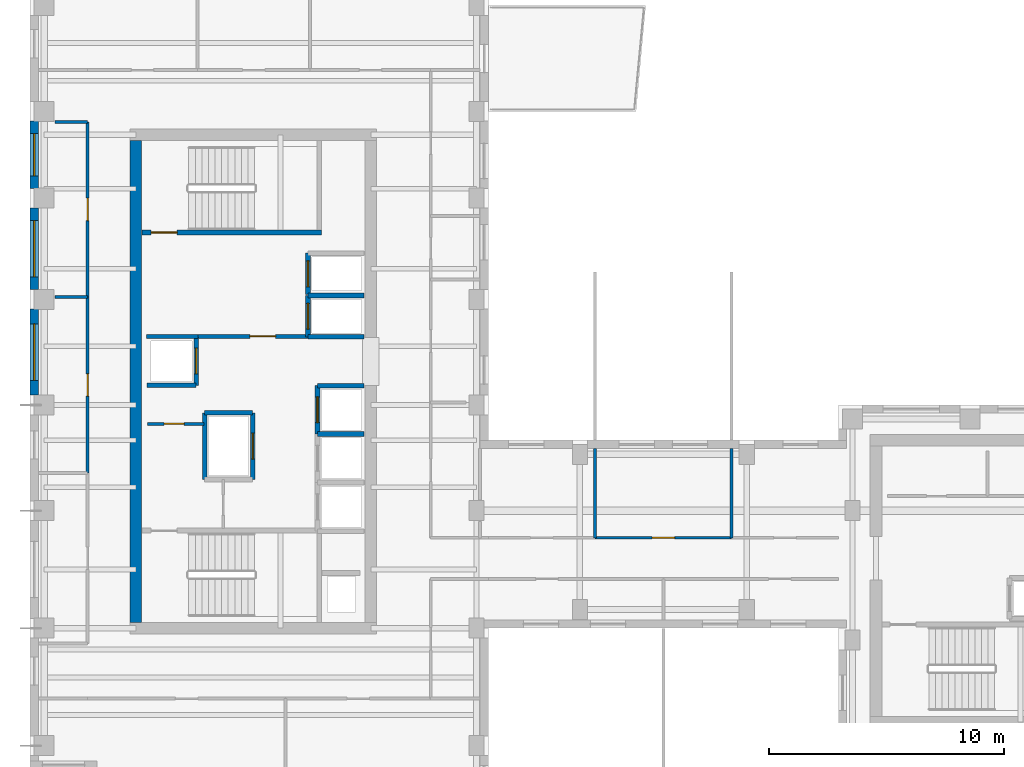
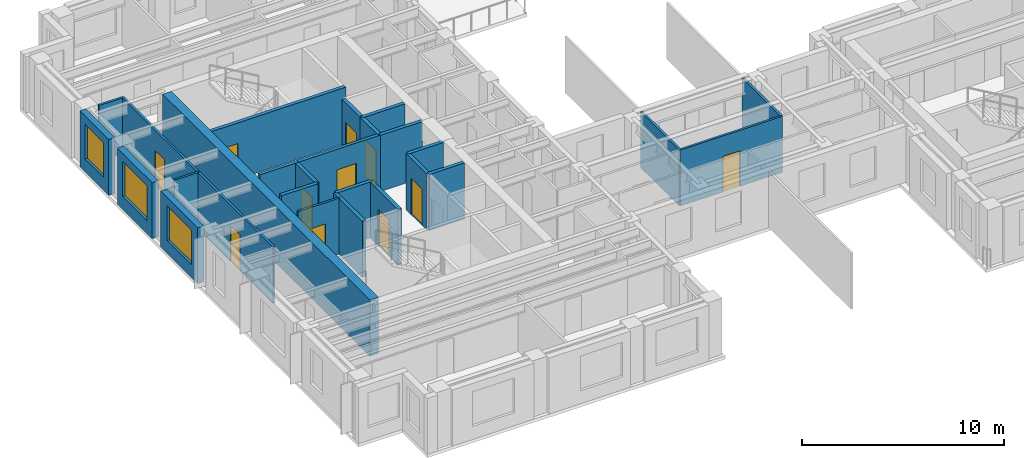
# One storey, part 4 of 10: 27 walls, 11 doors, 3 windows, 14 openings.
"""IFC4 building model written with IfcOpenShell, lengths in metres."""

import ifcopenshell
import ifcopenshell.guid

model = None  # the IFC model being written
_history = None  # IfcOwnerHistory: only IFC2X3 demands one
_inside = {}  # id of a spatial element -> (the spatial element, [elements in it])
_under = {}  # id of a project, library or spatial element -> (it, [spatial elements below it])
_declared = {}  # id of a project -> (the project, [libraries it declares])
_typed = {}  # id of a type object -> (the type object, [elements of that type])
_made_of = {}  # id of a material, layer set ... -> (it, [elements and type objects made of it])


def new_model(schema):
    """Start an empty IFC model of exactly this schema.

    Asked for "IFC4X3", IfcOpenShell would pick the latest addendum, in which some entities
    have other attributes; the version numbers below select the first issue.
    IFC2X3 requires an IfcOwnerHistory on every rooted entity: one is made here for all.
    """
    global model, _history
    if schema == "IFC4X3":
        model = ifcopenshell.file(schema_version=(4, 3, 0, 0))
    else:
        model = ifcopenshell.file(schema=schema)
    _inside.clear()
    _under.clear()
    _declared.clear()
    _typed.clear()
    _made_of.clear()
    _history = None
    if model.schema == "IFC2X3":
        org = make("IfcOrganization", Name="unknown")
        user = make(
            "IfcPersonAndOrganization",
            ThePerson=make("IfcPerson", FamilyName="unknown"),
            TheOrganization=org,
        )
        app = make(
            "IfcApplication",
            ApplicationDeveloper=org,
            Version="unknown",
            ApplicationFullName="unknown",
            ApplicationIdentifier="unknown",
        )
        _history = make(
            "IfcOwnerHistory",
            OwningUser=user,
            OwningApplication=app,
            ChangeAction="ADDED",
            CreationDate=0,
        )
    return model


def make(cls, **values):
    """One entity of the class cls with the attributes given. An attribute that is None is left unset."""
    return model.create_entity(
        cls, **{name: value for name, value in values.items() if value is not None}
    )


def rooted(cls, **values):
    """An entity with a GlobalId (a new one), such as an element, a storey or a relation."""
    return make(cls, GlobalId=ifcopenshell.guid.new(), OwnerHistory=_history, **values)


def si_unit(unit_type, name, prefix=None):
    """IfcSIUnit, for example si_unit("LENGTHUNIT", "METRE", prefix="MILLI")."""
    return make("IfcSIUnit", UnitType=unit_type, Prefix=prefix, Name=name)


def assignment(units):
    """IfcUnitAssignment: the units of a project."""
    return None if units is None else make("IfcUnitAssignment", Units=units)


def point(xyz):
    """IfcCartesianPoint."""
    return None if xyz is None else make("IfcCartesianPoint", Coordinates=xyz)


def direction(xyz):
    """IfcDirection."""
    return None if xyz is None else make("IfcDirection", DirectionRatios=xyz)


def frame(location, z_axis=None, x_axis=None):
    """IfcAxis2Placement3D, a coordinate frame: its origin and axes. An axis left out is left unset."""
    return make(
        "IfcAxis2Placement3D",
        Location=point(location),
        Axis=direction(z_axis),
        RefDirection=direction(x_axis),
    )


def frame_2d(location, x_axis=None):
    """IfcAxis2Placement2D, a coordinate frame in the plane: its origin and x axis."""
    return make(
        "IfcAxis2Placement2D", Location=point(location), RefDirection=direction(x_axis)
    )


def origin():
    """The frame at (0, 0, 0) with its axes left unset."""
    return frame((0.0, 0.0, 0.0))


def place(relative_to, where):
    """IfcLocalPlacement: puts the frame where relative to a parent placement (None: the world)."""
    return make(
        "IfcLocalPlacement", PlacementRelTo=relative_to, RelativePlacement=where
    )


def context(
    kind, dimensions, precision=None, world=None, true_north=None, identifier=None
):
    """IfcGeometricRepresentationContext, for example the 3D "Model" context."""
    return make(
        "IfcGeometricRepresentationContext",
        ContextIdentifier=identifier,
        ContextType=kind,
        CoordinateSpaceDimension=dimensions,
        Precision=precision,
        WorldCoordinateSystem=world,
        TrueNorth=true_north,
    )


def subcontext(parent, identifier, kind, view, scale=None):
    """IfcGeometricRepresentationSubContext, for example "Body" below "Model"."""
    return make(
        "IfcGeometricRepresentationSubContext",
        ContextIdentifier=identifier,
        ContextType=kind,
        ParentContext=parent,
        TargetScale=scale,
        TargetView=view,
    )


def project(units=None, contexts=None):
    """IfcProject with its units and contexts."""
    return rooted(
        "IfcProject",
        Name="project",
        RepresentationContexts=contexts,
        UnitsInContext=assignment(units),
    )


def spatial(cls, under=None, at=None, **own):
    """A site, building, storey or space (cls), placed at a placement, below another one or the project."""
    s = rooted(cls, ObjectPlacement=at, **own)
    if under is not None:
        _under.setdefault(under.id(), (under, []))[1].append(s)
    return s


def profile(cls, at=None, kind="AREA", **sizes):
    """A parametric profile (cls). Its sizes go by their IFC names, for example OverallWidth=200.0."""
    return make(cls, ProfileType=kind, Position=at, **sizes)


def rectangle(**sizes):
    """IfcRectangleProfileDef."""
    return profile("IfcRectangleProfileDef", **sizes)


def extrude(swept, where, along, depth):
    """IfcExtrudedAreaSolid: the profile swept, set in the frame where, extruded along a direction by depth."""
    return make(
        "IfcExtrudedAreaSolid",
        SweptArea=swept,
        Position=where,
        ExtrudedDirection=direction(along),
        Depth=depth,
    )


def shape(context_of_items, identifier, shape_type, items):
    """IfcShapeRepresentation: the items that make up one representation, for example the "Body"."""
    return make(
        "IfcShapeRepresentation",
        ContextOfItems=context_of_items,
        RepresentationIdentifier=identifier,
        RepresentationType=shape_type,
        Items=items,
    )


def source(mapping_origin, context_of_items, identifier, shape_type, items):
    """IfcRepresentationMap: a shape defined once, which mapped items show again and again."""
    return make(
        "IfcRepresentationMap",
        MappingOrigin=mapping_origin,
        MappedRepresentation=shape(context_of_items, identifier, shape_type, items),
    )


def transform(
    local_origin,
    x_axis=None,
    y_axis=None,
    z_axis=None,
    scale=None,
    scale2=None,
    scale3=None,
    uniform=True,
):
    """IfcCartesianTransformationOperator3D, or its non-uniform kind. x_axis, y_axis, z_axis: its Axis1, 2, 3."""
    if uniform:
        return make(
            "IfcCartesianTransformationOperator3D",
            Axis1=direction(x_axis),
            Axis2=direction(y_axis),
            LocalOrigin=point(local_origin),
            Scale=scale,
            Axis3=direction(z_axis),
        )
    return make(
        "IfcCartesianTransformationOperator3DnonUniform",
        Axis1=direction(x_axis),
        Axis2=direction(y_axis),
        LocalOrigin=point(local_origin),
        Scale=scale,
        Axis3=direction(z_axis),
        Scale2=scale2,
        Scale3=scale3,
    )


def mapped(mapping_source, mapping_target):
    """IfcMappedItem: shows the shape of a source again, moved by a transform."""
    return make(
        "IfcMappedItem", MappingSource=mapping_source, MappingTarget=mapping_target
    )


def material(Name=None, Category=None):
    """IfcMaterial."""
    return make("IfcMaterial", Name=Name, Category=Category)


def layer(
    of_material, thickness, ventilated=None, Name=None, Category=None, Priority=None
):
    """IfcMaterialLayer: one layer of a wall or slab, of a material (None: an air gap)."""
    return make(
        "IfcMaterialLayer",
        Material=of_material,
        LayerThickness=thickness,
        IsVentilated=ventilated,
        Name=Name,
        Category=Category,
        Priority=Priority,
    )


def layer_set(layers, Name=None):
    """IfcMaterialLayerSet."""
    return make("IfcMaterialLayerSet", MaterialLayers=layers, LayerSetName=Name)


def made_of(thing, what):
    """Note that an element or type object is made of a material, layer set ...; save() writes the relation."""
    if what is not None:
        _made_of.setdefault(what.id(), (what, []))[1].append(thing)
    return thing


def type_object(cls, material=None, **own):
    """A type object (cls), such as IfcWallType, which elements share."""
    return made_of(rooted(cls, **own), material)


def element(
    cls,
    number,
    at=None,
    inside=None,
    cuts=None,
    type_object=None,
    material=None,
    context=None,
    identifier="Body",
    shape_type=None,
    held_by="IfcProductDefinitionShape",
    body=None,
    shapes=None,
    **own,
):
    """One element of the class cls, such as IfcWall. Its Tag is "e" and its number.

    at: its placement. inside: the storey or other place that contains it. cuts: it is an
    opening in that element (IfcRelVoidsElement). A single representation is given by context,
    identifier, shape_type and body (its items); several are given by shapes. held_by: the class
    of the entity that holds the representations. save() writes the other relations.
    """
    e = rooted(cls, Tag="e%d" % number, ObjectPlacement=at, **own)
    if body is not None:
        shapes = [shape(context, identifier, shape_type, body)]
    if shapes is not None:
        e.Representation = make(held_by, Representations=shapes)
    if inside is not None:
        _inside.setdefault(inside.id(), (inside, []))[1].append(e)
    if cuts is not None:
        rooted(
            "IfcRelVoidsElement", RelatingBuildingElement=cuts, RelatedOpeningElement=e
        )
    if type_object is not None:
        _typed.setdefault(type_object.id(), (type_object, []))[1].append(e)
    return made_of(e, material)


def fill(opening, filler):
    """IfcRelFillsElement: the door or window that sits in an opening."""
    return rooted(
        "IfcRelFillsElement",
        RelatingOpeningElement=opening,
        RelatedBuildingElement=filler,
    )


def aggregate(whole, parts):
    """IfcRelAggregates: a whole, such as a stair, and the parts it consists of."""
    return rooted("IfcRelAggregates", RelatingObject=whole, RelatedObjects=parts)


def save(model, path):
    """Write the relations noted so far, then the file.

    IfcRelAggregates (storeys below a building ...), IfcRelContainedInSpatialStructure (elements
    in a storey), IfcRelDefinesByType, IfcRelAssociatesMaterial and IfcRelDeclares: one each for
    every whole, place, type object, material and project.
    """
    for whole, parts in _under.values():
        aggregate(whole, parts)
    for where, things in _inside.values():
        rooted(
            "IfcRelContainedInSpatialStructure",
            RelatedElements=things,
            RelatingStructure=where,
        )
    for kind, things in _typed.values():
        rooted("IfcRelDefinesByType", RelatedObjects=things, RelatingType=kind)
    for what, things in _made_of.values():
        rooted("IfcRelAssociatesMaterial", RelatedObjects=things, RelatingMaterial=what)
    for by, libraries in _declared.values():
        rooted("IfcRelDeclares", RelatingContext=by, RelatedDefinitions=libraries)
    model.write(path)


model = new_model("IFC4")

# Units and contexts
model_context = context("Model", 3, precision=1e-05, world=origin(), true_north=direction((0.0, 1.0)))
body_context = subcontext(model_context, "Body", "Model", "MODEL_VIEW")
ifc_project = project(units=[si_unit("LENGTHUNIT", "METRE"), si_unit("AREAUNIT", "SQUARE_METRE"), si_unit("VOLUMEUNIT", "CUBIC_METRE"), si_unit("PLANEANGLEUNIT", "RADIAN"), si_unit("MASSUNIT", "GRAM", prefix="KILO")], contexts=[model_context])

# Site, building, storey
site_placement = place(None, origin())
site = spatial("IfcSite", under=ifc_project, at=site_placement, CompositionType="ELEMENT")
building_placement = place(site_placement, origin())
building = spatial("IfcBuilding", under=site, at=building_placement, Name="Kharzan Plaza Tower", CompositionType="ELEMENT")
storey_placement = place(building_placement, frame((0.0, 0.0, 237.60009765625)))
storey = spatial("IfcBuildingStorey", under=building, at=storey_placement, Name="L64", CompositionType="ELEMENT", Elevation=237.60009765625)

# Wall, opening, window
ifc_material_1 = material(Name="Concrete C40/50", Category="concrete")
ifc_layer_1 = layer(ifc_material_1, 0.35009765625)
ifc_layer_set_1 = layer_set([ifc_layer_1], Name="Concrete C40/50")
wall_type_1 = type_object("IfcWallType", Name="WL-EXT-MAS-Z4", PredefinedType="SOLIDWALL", material=ifc_layer_set_1)
wall_1_placement = place(storey_placement, frame((0.175048828125, 30.076904296875, 0.0), z_axis=(0.0, 0.0, 1.0), x_axis=(0.0, -1.0, 0.0)))
wall_1 = element("IfcWall", 1, at=wall_1_placement, inside=storey, type_object=wall_type_1, Name="L64 Masonry-Frame Exterior Wall 17", PredefinedType="SOLIDWALL", context=body_context, shape_type="SweptSolid", body=[
    extrude(rectangle(XDim=2.85400390625, YDim=0.35009765625, at=frame_2d((1.427001953125, 0.0))), origin(), (0.0, 0.0, 1.0), 3.385009765625),
])
opening_1_placement = place(wall_1_placement, frame((0.527099609375, 0.0, 0.780029296875)))
opening_1 = element("IfcOpeningElement", 2, at=opening_1_placement, cuts=wall_1, Name="Opening W1", PredefinedType="OPENING", context=body_context, shape_type="SweptSolid", body=[
    extrude(rectangle(XDim=1.800048828125, YDim=2.10009765625, at=frame_2d((0.89990234375, 1.050048828125))), frame((0.0, 0.18505859375, 0.0), z_axis=(0.0, -1.0, 0.0), x_axis=(1.0, 0.0, 0.0)), (0.0, 0.0, 1.0), 0.3701171875),
])
ifc_material_2 = material(Name="Low-E Double Glazing", Category="glass")
window_type_1 = type_object("IfcWindowType", Name="WN-REC-1800x2100", PartitioningType="SINGLE_PANEL", PredefinedType="WINDOW", material=ifc_material_2)
shared_shape_1 = source(origin(), body_context, "Body", "SweptSolid", [
    extrude(rectangle(XDim=1.800048828125, YDim=2.10009765625, at=frame_2d((0.89990234375, 1.050048828125))), frame((0.0, 0.030029296875, 0.0), z_axis=(0.0, -1.0, 0.0), x_axis=(1.0, 0.0, 0.0)), (0.0, 0.0, 1.0), 0.06005859375),
])
window_1_placement = place(opening_1_placement, origin())
window_1 = element("IfcWindow", 3, at=window_1_placement, inside=storey, type_object=window_type_1, Name="L64 Recessed Solar-Control Window 17-1", OverallHeight=2.10009765625, OverallWidth=1.800048828125, PartitioningType="SINGLE_PANEL", PredefinedType="WINDOW", context=body_context, shape_type="MappedRepresentation", body=[
    mapped(shared_shape_1, transform((0.0, 0.0, 0.0), x_axis=(1.0, 0.0, 0.0), y_axis=(0.0, 1.0, 0.0), z_axis=(0.0, 0.0, 1.0))),
])
fill(opening_1, window_1)

wall_2_placement = place(storey_placement, frame((0.175048828125, 26.376953125, 0.0), z_axis=(0.0, 0.0, 1.0), x_axis=(0.0, -1.0, 0.0)))
wall_2 = element("IfcWall", 4, at=wall_2_placement, inside=storey, type_object=wall_type_1, Name="L64 Masonry-Frame Exterior Wall 18", PredefinedType="SOLIDWALL", context=body_context, shape_type="SweptSolid", body=[
    extrude(rectangle(XDim=3.453857421875, YDim=0.35009765625, at=frame_2d((1.72705078125, 0.0))), origin(), (0.0, 0.0, 1.0), 3.385009765625),
])
opening_2_placement = place(wall_2_placement, frame((0.527099609375, 0.0, 0.780029296875)))
opening_2 = element("IfcOpeningElement", 5, at=opening_2_placement, cuts=wall_2, Name="Opening W2", PredefinedType="OPENING", context=body_context, shape_type="SweptSolid", body=[
    extrude(rectangle(XDim=2.39990234375, YDim=2.10009765625, at=frame_2d((1.199951171875, 1.050048828125))), frame((0.0, 0.18505859375, 0.0), z_axis=(0.0, -1.0, 0.0), x_axis=(1.0, 0.0, 0.0)), (0.0, 0.0, 1.0), 0.3701171875),
])
window_type_2 = type_object("IfcWindowType", Name="WN-REC-2400x2100", PartitioningType="SINGLE_PANEL", PredefinedType="WINDOW", material=ifc_material_2)
shared_shape_2 = source(origin(), body_context, "Body", "SweptSolid", [
    extrude(rectangle(XDim=2.39990234375, YDim=2.10009765625, at=frame_2d((1.199951171875, 1.050048828125))), frame((0.0, 0.030029296875, 0.0), z_axis=(0.0, -1.0, 0.0), x_axis=(1.0, 0.0, 0.0)), (0.0, 0.0, 1.0), 0.06005859375),
])
window_2_placement = place(opening_2_placement, origin())
window_2 = element("IfcWindow", 6, at=window_2_placement, inside=storey, type_object=window_type_2, Name="L64 Wide Recessed Solar-Control Window 18-1", OverallHeight=2.10009765625, OverallWidth=2.39990234375, PartitioningType="SINGLE_PANEL", PredefinedType="WINDOW", context=body_context, shape_type="MappedRepresentation", body=[
    mapped(shared_shape_2, transform((0.0, 0.0, 0.0), x_axis=(1.0, 0.0, 0.0), y_axis=(0.0, 1.0, 0.0), z_axis=(0.0, 0.0, 1.0))),
])
fill(opening_2, window_2)

wall_3_placement = place(storey_placement, frame((0.175048828125, 22.076904296875, 0.0), z_axis=(0.0, 0.0, 1.0), x_axis=(0.0, -1.0, 0.0)))
wall_3 = element("IfcWall", 7, at=wall_3_placement, inside=storey, type_object=wall_type_1, Name="L64 Masonry-Frame Exterior Wall 19", PredefinedType="SOLIDWALL", context=body_context, shape_type="SweptSolid", body=[
    extrude(rectangle(XDim=3.65380859375, YDim=0.35009765625, at=frame_2d((1.826904296875, 0.0))), origin(), (0.0, 0.0, 1.0), 3.385009765625),
])
opening_3_placement = place(wall_3_placement, frame((0.626953125, 0.0, 0.780029296875)))
opening_3 = element("IfcOpeningElement", 8, at=opening_3_placement, cuts=wall_3, Name="Opening W2", PredefinedType="OPENING", context=body_context, shape_type="SweptSolid", body=[
    extrude(rectangle(XDim=2.39990234375, YDim=2.10009765625, at=frame_2d((1.199951171875, 1.050048828125))), frame((0.0, 0.18505859375, 0.0), z_axis=(0.0, -1.0, 0.0), x_axis=(1.0, 0.0, 0.0)), (0.0, 0.0, 1.0), 0.3701171875),
])
window_3_placement = place(opening_3_placement, origin())
window_3 = element("IfcWindow", 9, at=window_3_placement, inside=storey, type_object=window_type_2, Name="L64 Wide Recessed Solar-Control Window 19-1", OverallHeight=2.10009765625, OverallWidth=2.39990234375, PartitioningType="SINGLE_PANEL", PredefinedType="WINDOW", context=body_context, shape_type="MappedRepresentation", body=[
    mapped(shared_shape_2, transform((0.0, 0.0, 0.0), x_axis=(1.0, 0.0, 0.0), y_axis=(0.0, 1.0, 0.0), z_axis=(0.0, 0.0, 1.0))),
])
fill(opening_3, window_3)

# Wall, opening, door
ifc_layer_2 = layer(ifc_material_1, 0.179931640625)
ifc_layer_set_2 = layer_set([ifc_layer_2], Name="Concrete C40/50")
wall_type_2 = type_object("IfcWallType", Name="WL-INT-FIRE-180", PredefinedType="PARTITIONING", material=ifc_layer_set_2)
wall_4_placement = place(storey_placement, frame((7.14990234375, 20.919921875, 0.0), z_axis=(0.0, 0.0, 1.0), x_axis=(1.0, 0.0, 0.0)))
wall_4 = element("IfcWall", 10, at=wall_4_placement, inside=storey, type_object=wall_type_2, Name="L64 Interior Partition CA-FF-S", PredefinedType="PARTITIONING", context=body_context, shape_type="SweptSolid", body=[
    extrude(rectangle(XDim=4.68017578125, YDim=0.179931640625, at=frame_2d((2.340087890625, 0.0))), origin(), (0.0, 0.0, 1.0), 3.385009765625),
])
opening_4_placement = place(wall_4_placement, frame((2.199951171875, 0.0, 0.0)))
opening_4 = element("IfcOpeningElement", 11, at=opening_4_placement, cuts=wall_4, Name="Opening FD1", PredefinedType="OPENING", context=body_context, shape_type="SweptSolid", body=[
    extrude(rectangle(XDim=1.10009765625, YDim=2.14990234375, at=frame_2d((0.550048828125, 1.074951171875))), frame((0.0, 0.099853515625, 0.0), z_axis=(0.0, -1.0, 0.0), x_axis=(1.0, 0.0, 0.0)), (0.0, 0.0, 1.0), 0.199951171875),
])
ifc_material_3 = material(Name="Fire-Rated Acoustic Vision-Panel Steel", Category="steel")
door_type_1 = type_object("IfcDoorType", Name="DR-FIRE-LOBBY", OperationType="NOTDEFINED", PredefinedType="DOOR", material=ifc_material_3)
shared_shape_3 = source(origin(), body_context, "Body", "SweptSolid", [
    extrude(rectangle(XDim=1.10009765625, YDim=2.14990234375, at=frame_2d((0.550048828125, 1.074951171875))), frame((0.0, 0.02490234375, 0.0), z_axis=(0.0, -1.0, 0.0), x_axis=(1.0, 0.0, 0.0)), (0.0, 0.0, 1.0), 0.050048828125),
])
door_1_placement = place(opening_4_placement, origin())
door_1 = element("IfcDoor", 12, at=door_1_placement, inside=storey, type_object=door_type_1, Name="L64 Firefighting Lobby Door", OperationType="SINGLE_SWING_RIGHT", OverallHeight=2.14990234375, OverallWidth=1.10009765625, PredefinedType="DOOR", context=body_context, shape_type="MappedRepresentation", body=[
    mapped(shared_shape_3, transform((0.0, 0.0, 0.0), x_axis=(1.0, 0.0, 0.0), y_axis=(0.0, 1.0, 0.0), z_axis=(0.0, 0.0, 1.0))),
])
fill(opening_4, door_1)

ifc_material_4 = material(Name="Fire-Rated Gypsum Board Partition", Category="gypsum")
ifc_layer_3 = layer(ifc_material_4, 0.125)
ifc_layer_set_3 = layer_set([ifc_layer_3], Name="Fire-Rated Gypsum Board Partition")
wall_type_3 = type_object("IfcWallType", Name="WL-INT-PART-125", PredefinedType="PARTITIONING", material=ifc_layer_set_3)
wall_5_placement = place(storey_placement, frame((5.0, 17.199951171875, 0.0), z_axis=(0.0, 0.0, 1.0), x_axis=(1.0, 0.0, 0.0)))
wall_5 = element("IfcWall", 13, at=wall_5_placement, inside=storey, type_object=wall_type_3, Name="L64 Interior Partition CA-K1N2", PredefinedType="PARTITIONING", context=body_context, shape_type="SweptSolid", body=[
    extrude(rectangle(XDim=2.39990234375, YDim=0.125, at=frame_2d((1.199951171875, 0.0))), origin(), (0.0, 0.0, 1.0), 3.385009765625),
])
opening_5_placement = place(wall_5_placement, frame((0.699951171875, 0.0, 0.0)))
opening_5 = element("IfcOpeningElement", 14, at=opening_5_placement, cuts=wall_5, Name="Opening RD1", PredefinedType="OPENING", context=body_context, shape_type="SweptSolid", body=[
    extrude(rectangle(XDim=0.85009765625, YDim=2.10009765625, at=frame_2d((0.425048828125, 1.050048828125))), frame((0.0, 0.072509765625, 0.0), z_axis=(0.0, -1.0, 0.0), x_axis=(1.0, 0.0, 0.0)), (0.0, 0.0, 1.0), 0.14501953125),
])
ifc_material_5 = material(Name="Powder-Coated Fire-Rated Steel", Category="steel")
door_type_2 = type_object("IfcDoorType", Name="DR-RISER-900", OperationType="NOTDEFINED", PredefinedType="DOOR", material=ifc_material_5)
shared_shape_4 = source(origin(), body_context, "Body", "SweptSolid", [
    extrude(rectangle(XDim=0.85009765625, YDim=2.10009765625, at=frame_2d((0.425048828125, 1.050048828125))), frame((0.0, 0.02490234375, 0.0), z_axis=(0.0, -1.0, 0.0), x_axis=(1.0, 0.0, 0.0)), (0.0, 0.0, 1.0), 0.050048828125),
])
door_2_placement = place(opening_5_placement, origin())
door_2 = element("IfcDoor", 15, at=door_2_placement, inside=storey, type_object=door_type_2, Name="L64 Core Storage Room Door", OperationType="SINGLE_SWING_LEFT", OverallHeight=2.10009765625, OverallWidth=0.85009765625, PredefinedType="DOOR", context=body_context, shape_type="MappedRepresentation", body=[
    mapped(shared_shape_4, transform((0.0, 0.0, 0.0), x_axis=(1.0, 0.0, 0.0), y_axis=(0.0, 1.0, 0.0), z_axis=(0.0, 0.0, 1.0))),
])
fill(opening_5, door_2)

wall_6_placement = place(storey_placement, frame((24.050048828125, 12.35009765625, 0.0), z_axis=(0.0, 0.0, 1.0), x_axis=(1.0, 0.0, 0.0)))
wall_6 = element("IfcWall", 16, at=wall_6_placement, inside=storey, type_object=wall_type_3, Name="L64 Interior Partition SH-SPNM", PredefinedType="PARTITIONING", context=body_context, shape_type="SweptSolid", body=[
    extrude(rectangle(XDim=5.800048828125, YDim=0.125, at=frame_2d((2.89990234375, 0.0))), origin(), (0.0, 0.0, 1.0), 3.385009765625),
])
opening_6_placement = place(wall_6_placement, frame((2.425048828125, 0.0, 0.0)))
opening_6 = element("IfcOpeningElement", 17, at=opening_6_placement, cuts=wall_6, Name="Opening OD1", PredefinedType="OPENING", context=body_context, shape_type="SweptSolid", body=[
    extrude(rectangle(XDim=0.949951171875, YDim=2.14990234375, at=frame_2d((0.47509765625, 1.074951171875))), frame((0.0, 0.072509765625, 0.0), z_axis=(0.0, -1.0, 0.0), x_axis=(1.0, 0.0, 0.0)), (0.0, 0.0, 1.0), 0.14501953125),
])
ifc_material_6 = material(Name="Acoustic Solid-Core Stained Oak", Category="timber")
door_type_3 = type_object("IfcDoorType", Name="DR-OFF-SINGLE", OperationType="NOTDEFINED", PredefinedType="DOOR", material=ifc_material_6)
shared_shape_5 = source(origin(), body_context, "Body", "SweptSolid", [
    extrude(rectangle(XDim=0.949951171875, YDim=2.14990234375, at=frame_2d((0.47509765625, 1.074951171875))), frame((0.0, 0.02490234375, 0.0), z_axis=(0.0, -1.0, 0.0), x_axis=(1.0, 0.0, 0.0)), (0.0, 0.0, 1.0), 0.050048828125),
])
door_3_placement = place(opening_6_placement, origin())
door_3 = element("IfcDoor", 18, at=door_3_placement, inside=storey, type_object=door_type_3, Name="L64 Reclaimed Spine Door", OperationType="SINGLE_SWING_LEFT", OverallHeight=2.14990234375, OverallWidth=0.949951171875, PredefinedType="DOOR", context=body_context, shape_type="MappedRepresentation", body=[
    mapped(shared_shape_5, transform((0.0, 0.0, 0.0), x_axis=(1.0, 0.0, 0.0), y_axis=(0.0, 1.0, 0.0), z_axis=(0.0, 0.0, 1.0))),
])
fill(opening_6, door_3)

wall_7_placement = place(storey_placement, frame((2.449951171875, 15.10009765625, 0.0), z_axis=(0.0, 0.0, 1.0), x_axis=(0.0, 1.0, 0.0)))
wall_7 = element("IfcWall", 19, at=wall_7_placement, inside=storey, type_object=wall_type_3, Name="L64 Interior Partition SH-WW-2", PredefinedType="PARTITIONING", context=body_context, shape_type="SweptSolid", body=[
    extrude(rectangle(XDim=7.5, YDim=0.125, at=frame_2d((3.75, 0.0))), origin(), (0.0, 0.0, 1.0), 3.385009765625),
])
opening_7_placement = place(wall_7_placement, frame((3.27490234375, 0.0, 0.0)))
opening_7 = element("IfcOpeningElement", 20, at=opening_7_placement, cuts=wall_7, Name="Opening OD1", PredefinedType="OPENING", context=body_context, shape_type="SweptSolid", body=[
    extrude(rectangle(XDim=0.949951171875, YDim=2.14990234375, at=frame_2d((0.47509765625, 1.074951171875))), frame((0.0, 0.072509765625, 0.0), z_axis=(0.0, -1.0, 0.0), x_axis=(1.0, 0.0, 0.0)), (0.0, 0.0, 1.0), 0.14501953125),
])
door_4_placement = place(opening_7_placement, origin())
door_4 = element("IfcDoor", 21, at=door_4_placement, inside=storey, type_object=door_type_3, Name="L64 Client Briefing Room Door", OperationType="SINGLE_SWING_LEFT", OverallHeight=2.14990234375, OverallWidth=0.949951171875, PredefinedType="DOOR", context=body_context, shape_type="MappedRepresentation", body=[
    mapped(shared_shape_5, transform((0.0, 0.0, 0.0), x_axis=(1.0, 0.0, 0.0), y_axis=(0.0, 1.0, 0.0), z_axis=(0.0, 0.0, 1.0))),
])
fill(opening_7, door_4)

wall_8_placement = place(storey_placement, frame((2.449951171875, 22.60009765625, 0.0), z_axis=(0.0, 0.0, 1.0), x_axis=(0.0, 1.0, 0.0)))
wall_8 = element("IfcWall", 22, at=wall_8_placement, inside=storey, type_object=wall_type_3, Name="L64 Interior Partition SH-WW-3", PredefinedType="PARTITIONING", context=body_context, shape_type="SweptSolid", body=[
    extrude(rectangle(XDim=7.449951171875, YDim=0.125, at=frame_2d((3.72509765625, 0.0))), origin(), (0.0, 0.0, 1.0), 3.385009765625),
])
opening_8_placement = place(wall_8_placement, frame((3.25, 0.0, 0.0)))
opening_8 = element("IfcOpeningElement", 23, at=opening_8_placement, cuts=wall_8, Name="Opening OD1", PredefinedType="OPENING", context=body_context, shape_type="SweptSolid", body=[
    extrude(rectangle(XDim=0.949951171875, YDim=2.14990234375, at=frame_2d((0.47509765625, 1.074951171875))), frame((0.0, 0.072509765625, 0.0), z_axis=(0.0, -1.0, 0.0), x_axis=(1.0, 0.0, 0.0)), (0.0, 0.0, 1.0), 0.14501953125),
])
door_5_placement = place(opening_8_placement, origin())
door_5 = element("IfcDoor", 24, at=door_5_placement, inside=storey, type_object=door_type_3, Name="L64 Executive Boardroom Door", OperationType="SINGLE_SWING_RIGHT", OverallHeight=2.14990234375, OverallWidth=0.949951171875, PredefinedType="DOOR", context=body_context, shape_type="MappedRepresentation", body=[
    mapped(shared_shape_5, transform((0.0, 0.0, 0.0), x_axis=(1.0, 0.0, 0.0), y_axis=(0.0, 1.0, 0.0), z_axis=(0.0, 0.0, 1.0))),
])
fill(opening_8, door_5)

ifc_layer_4 = layer(ifc_material_1, 0.199951171875)
ifc_layer_set_4 = layer_set([ifc_layer_4], Name="Concrete C40/50")
wall_type_4 = type_object("IfcWallType", Name="WL-INT-SHAFT-200", PredefinedType="PARTITIONING", material=ifc_layer_set_4)
wall_9_placement = place(storey_placement, frame((11.830078125, 20.89990234375, 0.0), z_axis=(0.0, 0.0, 1.0), x_axis=(0.0, 1.0, 0.0)))
wall_9 = element("IfcWall", 25, at=wall_9_placement, inside=storey, type_object=wall_type_4, Name="L64 Interior Partition SHF-FFL-1-W", PredefinedType="PARTITIONING", context=body_context, shape_type="SweptSolid", body=[
    extrude(rectangle(XDim=1.760009765625, YDim=0.199951171875, at=frame_2d((0.8798828125, 0.0))), origin(), (0.0, 0.0, 1.0), 3.385009765625),
])
opening_9_placement = place(wall_9_placement, frame((0.330078125, 0.0, 0.0)))
opening_9 = element("IfcOpeningElement", 26, at=opening_9_placement, cuts=wall_9, Name="Opening LD", PredefinedType="OPENING", context=body_context, shape_type="SweptSolid", body=[
    extrude(rectangle(XDim=1.10009765625, YDim=2.199951171875, at=frame_2d((0.550048828125, 1.10009765625))), frame((0.0, 0.10986328125, 0.0), z_axis=(0.0, -1.0, 0.0), x_axis=(1.0, 0.0, 0.0)), (0.0, 0.0, 1.0), 0.219970703125),
])
ifc_material_7 = material(Name="Brushed Stainless Steel", Category="steel")
door_type_4 = type_object("IfcDoorType", Name="DR-LIFT-SLIDE", OperationType="SLIDING_TO_LEFT", PredefinedType="DOOR", material=ifc_material_7)
shared_shape_6 = source(origin(), body_context, "Body", "SweptSolid", [
    extrude(rectangle(XDim=1.10009765625, YDim=2.199951171875, at=frame_2d((0.550048828125, 1.10009765625))), frame((0.0, 0.02490234375, 0.0), z_axis=(0.0, -1.0, 0.0), x_axis=(1.0, 0.0, 0.0)), (0.0, 0.0, 1.0), 0.050048828125),
])
door_6_placement = place(opening_9_placement, origin())
door_6 = element("IfcDoor", 27, at=door_6_placement, inside=storey, type_object=door_type_4, Name="L64 Firefighting Lift FFL-1 Sliding Landing Door", OperationType="SLIDING_TO_LEFT", OverallHeight=2.199951171875, OverallWidth=1.10009765625, PredefinedType="DOOR", context=body_context, shape_type="MappedRepresentation", body=[
    mapped(shared_shape_6, transform((0.0, 0.0, 0.0), x_axis=(1.0, 0.0, 0.0), y_axis=(0.0, 1.0, 0.0), z_axis=(0.0, 0.0, 1.0))),
])
fill(opening_9, door_6)

wall_10_placement = place(storey_placement, frame((11.830078125, 22.699951171875, 0.0), z_axis=(0.0, 0.0, 1.0), x_axis=(0.0, 1.0, 0.0)))
wall_10 = element("IfcWall", 28, at=wall_10_placement, inside=storey, type_object=wall_type_4, Name="L64 Interior Partition SHF-FFL-2-W", PredefinedType="PARTITIONING", context=body_context, shape_type="SweptSolid", body=[
    extrude(rectangle(XDim=1.760009765625, YDim=0.199951171875, at=frame_2d((0.8798828125, 0.0))), origin(), (0.0, 0.0, 1.0), 3.385009765625),
])
opening_10_placement = place(wall_10_placement, frame((0.330078125, 0.0, 0.0)))
opening_10 = element("IfcOpeningElement", 29, at=opening_10_placement, cuts=wall_10, Name="Opening LD", PredefinedType="OPENING", context=body_context, shape_type="SweptSolid", body=[
    extrude(rectangle(XDim=1.10009765625, YDim=2.199951171875, at=frame_2d((0.550048828125, 1.10009765625))), frame((0.0, 0.10986328125, 0.0), z_axis=(0.0, -1.0, 0.0), x_axis=(1.0, 0.0, 0.0)), (0.0, 0.0, 1.0), 0.219970703125),
])
door_7_placement = place(opening_10_placement, origin())
door_7 = element("IfcDoor", 30, at=door_7_placement, inside=storey, type_object=door_type_4, Name="L64 Firefighting Lift FFL-2 Sliding Landing Door", OperationType="SLIDING_TO_LEFT", OverallHeight=2.199951171875, OverallWidth=1.10009765625, PredefinedType="DOOR", context=body_context, shape_type="MappedRepresentation", body=[
    mapped(shared_shape_6, transform((0.0, 0.0, 0.0), x_axis=(1.0, 0.0, 0.0), y_axis=(0.0, 1.0, 0.0), z_axis=(0.0, 0.0, 1.0))),
])
fill(opening_10, door_7)

wall_11_placement = place(storey_placement, frame((12.22998046875, 16.77001953125, 0.0), z_axis=(0.0, 0.0, 1.0), x_axis=(0.0, 1.0, 0.0)))
wall_11 = element("IfcWall", 31, at=wall_11_placement, inside=storey, type_object=wall_type_4, Name="L64 Interior Partition SHF-PL-H3-W", PredefinedType="PARTITIONING", context=body_context, shape_type="SweptSolid", body=[
    extrude(rectangle(XDim=2.050048828125, YDim=0.199951171875, at=frame_2d((1.02490234375, 0.0))), origin(), (0.0, 0.0, 1.0), 3.385009765625),
])
opening_11_placement = place(wall_11_placement, frame((0.47509765625, 0.0, 0.0)))
opening_11 = element("IfcOpeningElement", 32, at=opening_11_placement, cuts=wall_11, Name="Opening LD", PredefinedType="OPENING", context=body_context, shape_type="SweptSolid", body=[
    extrude(rectangle(XDim=1.10009765625, YDim=2.199951171875, at=frame_2d((0.550048828125, 1.10009765625))), frame((0.0, 0.10986328125, 0.0), z_axis=(0.0, -1.0, 0.0), x_axis=(1.0, 0.0, 0.0)), (0.0, 0.0, 1.0), 0.219970703125),
])
door_8_placement = place(opening_11_placement, origin())
door_8 = element("IfcDoor", 33, at=door_8_placement, inside=storey, type_object=door_type_4, Name="L64 High-Rise Passenger Lift PL-H3 Sliding Landing Door", OperationType="SLIDING_TO_LEFT", OverallHeight=2.199951171875, OverallWidth=1.10009765625, PredefinedType="DOOR", context=body_context, shape_type="MappedRepresentation", body=[
    mapped(shared_shape_6, transform((0.0, 0.0, 0.0), x_axis=(1.0, 0.0, 0.0), y_axis=(0.0, 1.0, 0.0), z_axis=(0.0, 0.0, 1.0))),
])
fill(opening_11, door_8)

wall_12_placement = place(storey_placement, frame((7.070068359375, 18.840087890625, 0.0), z_axis=(0.0, 0.0, 1.0), x_axis=(0.0, 1.0, 0.0)))
wall_12 = element("IfcWall", 34, at=wall_12_placement, inside=storey, type_object=wall_type_4, Name="L64 Interior Partition SHF-PL-H4-E", PredefinedType="PARTITIONING", context=body_context, shape_type="SweptSolid", body=[
    extrude(rectangle(XDim=2.059814453125, YDim=0.199951171875, at=frame_2d((1.02978515625, 0.0))), origin(), (0.0, 0.0, 1.0), 3.385009765625),
])
opening_12_placement = place(wall_12_placement, frame((0.47998046875, 0.0, 0.0)))
opening_12 = element("IfcOpeningElement", 35, at=opening_12_placement, cuts=wall_12, Name="Opening LD", PredefinedType="OPENING", context=body_context, shape_type="SweptSolid", body=[
    extrude(rectangle(XDim=1.10009765625, YDim=2.199951171875, at=frame_2d((0.550048828125, 1.10009765625))), frame((0.0, 0.10986328125, 0.0), z_axis=(0.0, -1.0, 0.0), x_axis=(1.0, 0.0, 0.0)), (0.0, 0.0, 1.0), 0.219970703125),
])
door_9_placement = place(opening_12_placement, origin())
door_9 = element("IfcDoor", 36, at=door_9_placement, inside=storey, type_object=door_type_4, Name="L64 High-Rise Passenger Lift PL-H4 Sliding Landing Door", OperationType="SLIDING_TO_LEFT", OverallHeight=2.199951171875, OverallWidth=1.10009765625, PredefinedType="DOOR", context=body_context, shape_type="MappedRepresentation", body=[
    mapped(shared_shape_6, transform((0.0, 0.0, 0.0), x_axis=(1.0, 0.0, 0.0), y_axis=(0.0, 1.0, 0.0), z_axis=(0.0, 0.0, 1.0))),
])
fill(opening_12, door_9)

wall_13_placement = place(storey_placement, frame((9.469970703125, 14.830078125, 0.0), z_axis=(0.0, 0.0, 1.0), x_axis=(0.0, 1.0, 0.0)))
wall_13 = element("IfcWall", 37, at=wall_13_placement, inside=storey, type_object=wall_type_4, Name="L64 Interior Partition SHF-SVL-1-E", PredefinedType="PARTITIONING", context=body_context, shape_type="SweptSolid", body=[
    extrude(rectangle(XDim=2.83984375, YDim=0.199951171875, at=frame_2d((1.419921875, 0.0))), origin(), (0.0, 0.0, 1.0), 3.385009765625),
])
opening_13_placement = place(wall_13_placement, frame((0.8701171875, 0.0, 0.0)))
opening_13 = element("IfcOpeningElement", 38, at=opening_13_placement, cuts=wall_13, Name="Opening LD", PredefinedType="OPENING", context=body_context, shape_type="SweptSolid", body=[
    extrude(rectangle(XDim=1.10009765625, YDim=2.199951171875, at=frame_2d((0.550048828125, 1.10009765625))), frame((0.0, 0.10986328125, 0.0), z_axis=(0.0, -1.0, 0.0), x_axis=(1.0, 0.0, 0.0)), (0.0, 0.0, 1.0), 0.219970703125),
])
door_10_placement = place(opening_13_placement, origin())
door_10 = element("IfcDoor", 39, at=door_10_placement, inside=storey, type_object=door_type_4, Name="L64 Service Lift SVL-1 Sliding Landing Door", OperationType="SLIDING_TO_LEFT", OverallHeight=2.199951171875, OverallWidth=1.10009765625, PredefinedType="DOOR", context=body_context, shape_type="MappedRepresentation", body=[
    mapped(shared_shape_6, transform((0.0, 0.0, 0.0), x_axis=(1.0, 0.0, 0.0), y_axis=(0.0, 1.0, 0.0), z_axis=(0.0, 0.0, 1.0))),
])
fill(opening_13, door_10)

ifc_material_8 = material(Name="Concrete C50/60", Category="concrete")
ifc_layer_5 = layer(ifc_material_8, 0.199951171875)
ifc_layer_set_5 = layer_set([ifc_layer_5], Name="Concrete C50/60")
wall_type_5 = type_object("IfcWallType", Name="WL-SHAFT-RC200", PredefinedType="SHEAR", material=ifc_layer_set_5)
wall_14_placement = place(storey_placement, frame((4.751953125, 25.344970703125, 0.0), z_axis=(0.0, 0.0, 1.0), x_axis=(1.0, 0.0, 0.0)))
wall_14 = element("IfcWall", 40, at=wall_14_placement, inside=storey, type_object=wall_type_5, Name="L64 Stair ST-2 South RC Shaft Wall", PredefinedType="SHEAR", context=body_context, shape_type="SweptSolid", body=[
    extrude(rectangle(XDim=7.653076171875, YDim=0.199951171875, at=frame_2d((3.82666015625, 0.0))), origin(), (0.0, 0.0, 1.0), 3.39990234375),
])
opening_14_placement = place(wall_14_placement, frame((0.39990234375, 0.0, 0.0)))
opening_14 = element("IfcOpeningElement", 41, at=opening_14_placement, cuts=wall_14, Name="Opening SD1", PredefinedType="OPENING", context=body_context, shape_type="SweptSolid", body=[
    extrude(rectangle(XDim=1.10009765625, YDim=2.14990234375, at=frame_2d((0.550048828125, 1.074951171875))), frame((0.0, 0.10986328125, 0.0), z_axis=(0.0, -1.0, 0.0), x_axis=(1.0, 0.0, 0.0)), (0.0, 0.0, 1.0), 0.219970703125),
])
ifc_material_9 = material(Name="Fire-Rated Hollow Galvanized Steel", Category="steel")
door_type_5 = type_object("IfcDoorType", Name="DR-STAIR-FD120", OperationType="NOTDEFINED", PredefinedType="DOOR", material=ifc_material_9)
shared_shape_7 = source(origin(), body_context, "Body", "SweptSolid", [
    extrude(rectangle(XDim=1.10009765625, YDim=2.14990234375, at=frame_2d((0.550048828125, 1.074951171875))), frame((0.0, 0.02490234375, 0.0), z_axis=(0.0, -1.0, 0.0), x_axis=(1.0, 0.0, 0.0)), (0.0, 0.0, 1.0), 0.050048828125),
])
door_11_placement = place(opening_14_placement, origin())
door_11 = element("IfcDoor", 42, at=door_11_placement, inside=storey, type_object=door_type_5, Name="L64 Stair ST-2 Fire Exit Door", OperationType="SINGLE_SWING_LEFT", OverallHeight=2.14990234375, OverallWidth=1.10009765625, PredefinedType="DOOR", context=body_context, shape_type="MappedRepresentation", body=[
    mapped(shared_shape_7, transform((0.0, 0.0, 0.0), x_axis=(1.0, 0.0, 0.0), y_axis=(0.0, 1.0, 0.0), z_axis=(0.0, 0.0, 1.0))),
])
fill(opening_14, door_11)

# Walls
shared_shape_8 = source(origin(), body_context, "Body", "SweptSolid", [
    extrude(rectangle(XDim=2.199951171875, YDim=0.179931640625, at=frame_2d((1.10009765625, 0.0))), origin(), (0.0, 0.0, 1.0), 3.385009765625),
])
wall_15_placement = place(storey_placement, frame((4.949951171875, 20.919921875, 0.0), z_axis=(0.0, 0.0, 1.0), x_axis=(1.0, 0.0, 0.0)))
element("IfcWall", 43, at=wall_15_placement, inside=storey, type_object=wall_type_2, Name="L64 Interior Partition CA-FF-SW", PredefinedType="PARTITIONING", context=body_context, shape_type="MappedRepresentation", body=[
    mapped(shared_shape_8, transform((0.0, 0.0, 0.0), x_axis=(1.0, 0.0, 0.0), y_axis=(0.0, 1.0, 0.0), z_axis=(0.0, 0.0, 1.0))),
])
shared_shape_9 = source(origin(), body_context, "Body", "SweptSolid", [
    extrude(rectangle(XDim=2.090087890625, YDim=0.199951171875, at=frame_2d((1.044921875, 0.0))), origin(), (0.0, 0.0, 1.0), 3.385009765625),
])
wall_16_placement = place(storey_placement, frame((4.97998046875, 18.840087890625, 0.0), z_axis=(0.0, 0.0, 1.0), x_axis=(1.0, 0.0, 0.0)))
element("IfcWall", 44, at=wall_16_placement, inside=storey, type_object=wall_type_4, Name="L64 Interior Partition SHF-PL-H4-S", PredefinedType="PARTITIONING", context=body_context, shape_type="MappedRepresentation", body=[
    mapped(shared_shape_9, transform((0.0, 0.0, 0.0), x_axis=(1.0, 0.0, 0.0), y_axis=(0.0, 1.0, 0.0), z_axis=(0.0, 0.0, 1.0))),
])
shared_shape_10 = source(origin(), body_context, "Body", "SweptSolid", [
    extrude(rectangle(XDim=2.0400390625, YDim=0.199951171875, at=frame_2d((1.02001953125, 0.0))), origin(), (0.0, 0.0, 1.0), 3.385009765625),
])
wall_17_placement = place(storey_placement, frame((7.429931640625, 17.669921875, 0.0), z_axis=(0.0, 0.0, 1.0), x_axis=(1.0, 0.0, 0.0)))
element("IfcWall", 45, at=wall_17_placement, inside=storey, type_object=wall_type_4, Name="L64 Interior Partition SHF-SVL-1-N", PredefinedType="PARTITIONING", context=body_context, shape_type="MappedRepresentation", body=[
    mapped(shared_shape_10, transform((0.0, 0.0, 0.0), x_axis=(1.0, 0.0, 0.0), y_axis=(0.0, 1.0, 0.0), z_axis=(0.0, 0.0, 1.0))),
])
shared_shape_11 = source(origin(), body_context, "Body", "SweptSolid", [
    extrude(rectangle(XDim=2.83984375, YDim=0.199951171875, at=frame_2d((1.419921875, 0.0))), origin(), (0.0, 0.0, 1.0), 3.385009765625),
])
wall_18_placement = place(storey_placement, frame((7.429931640625, 14.830078125, 0.0), z_axis=(0.0, 0.0, 1.0), x_axis=(0.0, 1.0, 0.0)))
element("IfcWall", 46, at=wall_18_placement, inside=storey, type_object=wall_type_4, Name="L64 Interior Partition SHF-SVL-1-W", PredefinedType="PARTITIONING", context=body_context, shape_type="MappedRepresentation", body=[
    mapped(shared_shape_11, transform((0.0, 0.0, 0.0), x_axis=(1.0, 0.0, 0.0), y_axis=(0.0, 1.0, 0.0), z_axis=(0.0, 0.0, 1.0))),
])
shared_shape_12 = source(origin(), body_context, "Body", "SweptSolid", [
    extrude(rectangle(XDim=2.389892578125, YDim=0.199951171875, at=frame_2d((1.19482421875, 0.0))), origin(), (0.0, 0.0, 1.0), 3.385009765625),
])
for number, where, z_axis, x_axis, name in (
    (47, (11.830078125, 22.659912109375, 0.0), (0.0, 0.0, 1.0), (1.0, 0.0, 0.0), "L64 Interior Partition SHF-FFL-1-N"),
    (48, (11.830078125, 20.89990234375, 0.0), (0.0, 0.0, 1.0), (1.0, 0.0, 0.0), "L64 Interior Partition SHF-FFL-1-S"),
):
    element("IfcWall", number, at=place(storey_placement, frame(where, z_axis=z_axis, x_axis=x_axis)), inside=storey, type_object=wall_type_4, Name=name, PredefinedType="PARTITIONING", context=body_context, shape_type="MappedRepresentation", body=[
        mapped(shared_shape_12, transform((0.0, 0.0, 0.0), x_axis=(1.0, 0.0, 0.0), y_axis=(0.0, 1.0, 0.0), z_axis=(0.0, 0.0, 1.0))),
    ])
shared_shape_13 = source(origin(), body_context, "Body", "SweptSolid", [
    extrude(rectangle(XDim=1.989990234375, YDim=0.199951171875, at=frame_2d((0.9951171875, 0.0))), origin(), (0.0, 0.0, 1.0), 3.385009765625),
])
for number, where, z_axis, x_axis, name in (
    (49, (12.22998046875, 16.77001953125, 0.0), (0.0, 0.0, 1.0), (1.0, 0.0, 0.0), "L64 Interior Partition SHF-PL-H2-N"),
    (50, (12.22998046875, 18.820068359375, 0.0), (0.0, 0.0, 1.0), (1.0, 0.0, 0.0), "L64 Interior Partition SHF-PL-H3-N"),
):
    element("IfcWall", number, at=place(storey_placement, frame(where, z_axis=z_axis, x_axis=x_axis)), inside=storey, type_object=wall_type_4, Name=name, PredefinedType="PARTITIONING", context=body_context, shape_type="MappedRepresentation", body=[
        mapped(shared_shape_13, transform((0.0, 0.0, 0.0), x_axis=(1.0, 0.0, 0.0), y_axis=(0.0, 1.0, 0.0), z_axis=(0.0, 0.0, 1.0))),
    ])
ifc_layer_6 = layer(ifc_material_8, 0.5)
ifc_layer_set_6 = layer_set([ifc_layer_6], Name="Concrete C50/60")
wall_type_6 = type_object("IfcWallType", Name="WL-CORE-500", PredefinedType="SHEAR", material=ifc_layer_set_6)
shared_shape_14 = source(origin(), body_context, "Body", "SweptSolid", [
    extrude(rectangle(XDim=20.5, YDim=0.5, at=frame_2d((10.25, 0.0))), origin(), (0.0, 0.0, 1.0), 3.39990234375),
])
wall_19_placement = place(storey_placement, frame((4.5, 8.75, 0.0), z_axis=(0.0, 0.0, 1.0), x_axis=(0.0, 1.0, 0.0)))
element("IfcWall", 51, at=wall_19_placement, inside=storey, type_object=wall_type_6, Name="L64 CORE-A west RC shear wall", PredefinedType="SHEAR", context=body_context, shape_type="MappedRepresentation", body=[
    mapped(shared_shape_14, transform((0.0, 0.0, 0.0), x_axis=(1.0, 0.0, 0.0), y_axis=(0.0, 1.0, 0.0), z_axis=(0.0, 0.0, 1.0))),
])
shared_shape_15 = source(origin(), body_context, "Body", "SweptSolid", [
    extrude(rectangle(XDim=1.39990234375, YDim=0.125, at=frame_2d((0.699951171875, 0.0))), origin(), (0.0, 0.0, 1.0), 3.385009765625),
])
for number, where, z_axis, x_axis, name in (
    (52, (1.050048828125, 30.050048828125, 0.0), (0.0, 0.0, 1.0), (1.0, 0.0, 0.0), "L64 Interior Partition SH-RWN0"),
    (53, (1.050048828125, 22.60009765625, 0.0), (0.0, 0.0, 1.0), (1.0, 0.0, 0.0), "L64 Interior Partition SH-WH-2"),
):
    element("IfcWall", number, at=place(storey_placement, frame(where, z_axis=z_axis, x_axis=x_axis)), inside=storey, type_object=wall_type_3, Name=name, PredefinedType="PARTITIONING", context=body_context, shape_type="MappedRepresentation", body=[
        mapped(shared_shape_15, transform((0.0, 0.0, 0.0), x_axis=(1.0, 0.0, 0.0), y_axis=(0.0, 1.0, 0.0), z_axis=(0.0, 0.0, 1.0))),
    ])
shared_shape_16 = source(origin(), body_context, "Body", "SweptSolid", [
    extrude(rectangle(XDim=3.7978515625, YDim=0.125, at=frame_2d((1.89892578125, 0.0))), origin(), (0.0, 0.0, 1.0), 3.385009765625),
])
for number, where, z_axis, x_axis, name in (
    (54, (24.050048828125, 12.35009765625, 0.0), (0.0, 0.0, 1.0), (0.0, 1.0, 0.0), "L64 Interior Partition SH-SPML-S1"),
    (55, (29.85009765625, 12.35009765625, 0.0), (0.0, 0.0, 1.0), (0.0, 1.0, 0.0), "L64 Interior Partition SH-SPMR-S1"),
):
    element("IfcWall", number, at=place(storey_placement, frame(where, z_axis=z_axis, x_axis=x_axis)), inside=storey, type_object=wall_type_3, Name=name, PredefinedType="PARTITIONING", context=body_context, shape_type="MappedRepresentation", body=[
        mapped(shared_shape_16, transform((0.0, 0.0, 0.0), x_axis=(1.0, 0.0, 0.0), y_axis=(0.0, 1.0, 0.0), z_axis=(0.0, 0.0, 1.0))),
    ])

save(model, "model.ifc")
